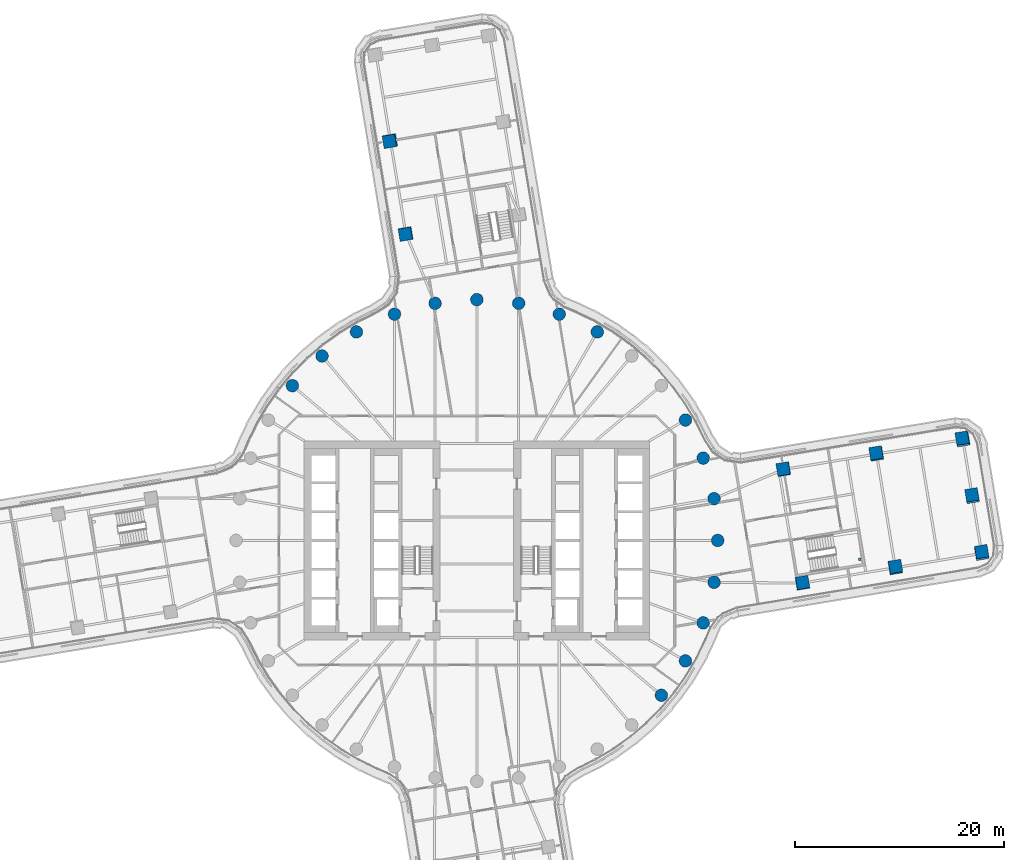
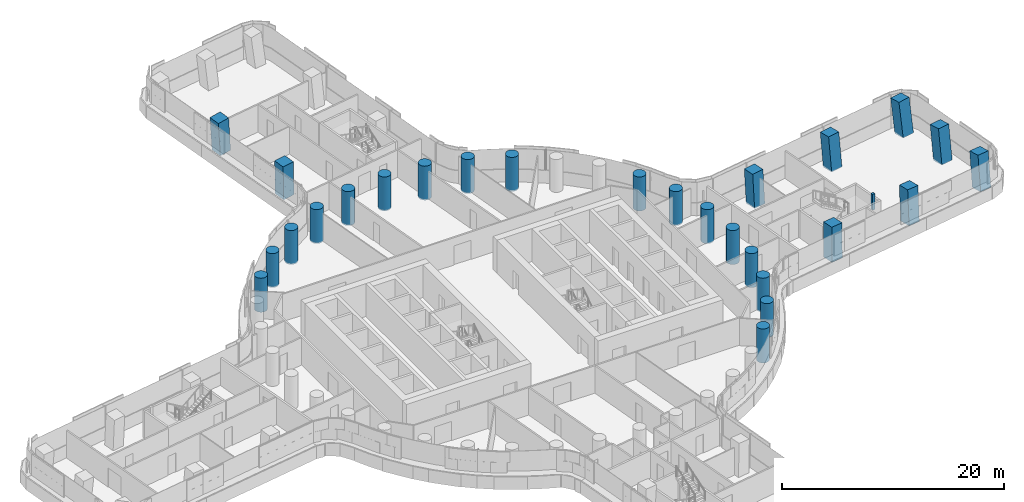
# One storey, part 2 of 32: 27 columns.
"""IFC4 building model written with IfcOpenShell, lengths in metres."""

from ifc_helpers import new_model, si_unit, direction, frame, origin, origin_2d, place, context, subcontext, project, spatial, rectangle, circle, extrude, material, material_profile, profile_set, type_object, element, save


model = new_model("IFC4")

# Units and contexts
model_context = context("Model", 3, precision=1e-05, world=origin(), true_north=direction((0.0, 1.0)))
body_context = subcontext(model_context, "Body", "Model", "MODEL_VIEW")
ifc_project = project(units=[si_unit("LENGTHUNIT", "METRE"), si_unit("AREAUNIT", "SQUARE_METRE"), si_unit("VOLUMEUNIT", "CUBIC_METRE"), si_unit("PLANEANGLEUNIT", "RADIAN"), si_unit("MASSUNIT", "GRAM", prefix="KILO")], contexts=[model_context])

# Site, building, storey
site_placement = place(None, origin())
site = spatial("IfcSite", under=ifc_project, at=site_placement, CompositionType="ELEMENT")
building_placement = place(site_placement, origin())
building = spatial("IfcBuilding", under=site, at=building_placement, Name="Tamarind Cross Interchange Tower", CompositionType="ELEMENT")
storey_placement = place(building_placement, frame((0.0, 0.0, 67.75)))
storey = spatial("IfcBuildingStorey", under=building, at=storey_placement, Name="L15", CompositionType="ELEMENT", Elevation=67.75)

# Columns
ifc_material_1 = material(Name="Concrete C70", Category="concrete")
ifc_material_profile_1 = material_profile(ifc_material_1, rectangle(XDim=1.199951171875, YDim=1.199951171875, at=origin_2d()), Name="RC 1200x1200")
ifc_profile_set_1 = profile_set([ifc_material_profile_1], Name="Concrete C70")
column_type_1 = type_object("IfcColumnType", Name="Column RC 1200x1200 Concrete C70", PredefinedType="COLUMN", material=ifc_profile_set_1)
for number, where, z_axis, x_axis, name in (
    (1, (38.1689453125, 8.252685546875, -0.138427734375), (-0.040696619998, 0.077953174829, 0.996126040045), (0.161771011337, -0.983284447578, 0.083557375751), "Column L15-036"),
    (2, (39.966064453125, -2.599365234375, -0.138427734375), (0.011813089853, 0.087105310894, 0.996129065795), (-0.986445272806, -0.162038865487, 0.025867543959), "Column L15-037"),
):
    element("IfcColumn", number, at=place(storey_placement, frame(where, z_axis=z_axis, x_axis=x_axis)), inside=storey, type_object=column_type_1, Name=name, PredefinedType="COLUMN", context=body_context, shape_type="SweptSolid", body=[
        extrude(rectangle(XDim=1.199951171875, YDim=1.199951171875, at=origin_2d()), origin(), (0.0, 0.0, 1.0), 3.761474609375),
    ])
for number, where, z_axis, x_axis, name in (
    (3, (29.289794921875, 6.7822265625, -0.138671875), (-0.0332531625, 0.035075253596, 0.998831293948), (0.16299732754, -0.985813521068, 0.040044636278), "Column L15-038"),
    (4, (31.087158203125, -4.070068359375, -0.138671875), (0.01932716713, 0.044315827662, 0.998830600267), (-0.986189119231, -0.16351563828, 0.026337371691), "Column L15-039"),
):
    element("IfcColumn", number, at=place(storey_placement, frame(where, z_axis=z_axis, x_axis=x_axis)), inside=storey, type_object=column_type_1, Name=name, PredefinedType="COLUMN", context=body_context, shape_type="SweptSolid", body=[
        extrude(rectangle(XDim=1.199951171875, YDim=1.199951171875, at=origin_2d()), origin(), (0.0, 0.0, 1.0), 3.751708984375),
    ])
column_1_placement = place(storey_placement, frame((48.214111328125, -1.2333984375, -0.138671875), z_axis=(6.4635009e-05, 0.125585822985, 0.992082757076), x_axis=(-0.986565168569, -0.162066752246, 0.020579989887)))
element("IfcColumn", 5, at=column_1_placement, inside=storey, type_object=column_type_1, Name="Column L15-040", PredefinedType="COLUMN", context=body_context, shape_type="SweptSolid", body=[
    extrude(rectangle(XDim=1.199951171875, YDim=1.199951171875, at=origin_2d()), origin(), (0.0, 0.0, 1.0), 3.777099609375),
])
column_2_placement = place(storey_placement, frame((47.3154296875, 4.192626953125, -0.138671875), z_axis=(-0.026053607977, 0.1210878604, 0.992299823428), x_axis=(0.161569262409, -0.979075915707, 0.123716307438)))
element("IfcColumn", 6, at=column_2_placement, inside=storey, type_object=column_type_1, Name="Column L15-041", PredefinedType="COLUMN", context=body_context, shape_type="SweptSolid", body=[
    extrude(rectangle(XDim=1.199951171875, YDim=1.199951171875, at=origin_2d()), origin(), (0.0, 0.0, 1.0), 3.7763671875),
])
column_3_placement = place(storey_placement, frame((46.416748046875, 9.61865234375, -0.138427734375), z_axis=(-0.052153719159, 0.116457251456, 0.991825437343), x_axis=(0.159863217449, -0.97939533561, 0.123403923324)))
element("IfcColumn", 7, at=column_3_placement, inside=storey, type_object=column_type_1, Name="Column L15-042", PredefinedType="COLUMN", context=body_context, shape_type="SweptSolid", body=[
    extrude(rectangle(XDim=1.199951171875, YDim=1.199951171875, at=origin_2d()), origin(), (0.0, 0.0, 1.0), 3.777587890625),
])
column_4_placement = place(storey_placement, frame((-8.252685546875, 38.1689453125, -0.138427734375), z_axis=(-0.077953174829, -0.040696619998, 0.996126040045), x_axis=(0.983284447578, 0.161771011337, 0.083557375751)))
element("IfcColumn", 8, at=column_4_placement, inside=storey, type_object=column_type_1, Name="Column L15-043", PredefinedType="COLUMN", context=body_context, shape_type="SweptSolid", body=[
    extrude(rectangle(XDim=1.199951171875, YDim=1.199951171875, at=origin_2d()), origin(), (0.0, 0.0, 1.0), 3.761474609375),
])
column_5_placement = place(storey_placement, frame((-6.7822265625, 29.289794921875, -0.138671875), z_axis=(-0.035075253596, -0.0332531625, 0.998831293948), x_axis=(0.985813521068, 0.16299732754, 0.040044636278)))
element("IfcColumn", 9, at=column_5_placement, inside=storey, type_object=column_type_1, Name="Column L15-045", PredefinedType="COLUMN", context=body_context, shape_type="SweptSolid", body=[
    extrude(rectangle(XDim=1.199951171875, YDim=1.199951171875, at=origin_2d()), origin(), (0.0, 0.0, 1.0), 3.751708984375),
])
ifc_material_2 = material(Name="Concrete C40", Category="concrete")
ifc_material_profile_2 = material_profile(ifc_material_2, rectangle(XDim=0.25, YDim=0.25, at=origin_2d()), Name="RC 250x250")
ifc_profile_set_2 = profile_set([ifc_material_profile_2], Name="Concrete C40")
column_type_2 = type_object("IfcColumnType", Name="Column RC 250x250 Concrete C40", PredefinedType="COLUMN", material=ifc_profile_set_2)
column_6_placement = place(storey_placement, frame((36.565673828125, -1.788330078125, 1.875), z_axis=(0.0, 0.0, 1.0), x_axis=(1.0, 0.0, 0.0)))
element("IfcColumn", 10, at=column_6_placement, inside=storey, type_object=column_type_2, Name="Column ST3 landing L16", PredefinedType="COLUMN", context=body_context, shape_type="SweptSolid", body=[
    extrude(rectangle(XDim=0.25, YDim=0.25, at=origin_2d()), origin(), (0.0, 0.0, 1.0), 1.735107421875),
])
ifc_material_profile_3 = material_profile(ifc_material_1, circle(Radius=0.60009765625, at=origin_2d()), Name="RC D1200")
ifc_profile_set_3 = profile_set([ifc_material_profile_3], Name="Concrete C70")
column_type_3 = type_object("IfcColumnType", Name="Column RC D1200 Concrete C70", PredefinedType="COLUMN", material=ifc_profile_set_3)
for number, where, z_axis, x_axis, name in (
    (11, (23.0, 0.0, -0.139892578125), (0.0, 0.0, 1.0), (1.0, 0.0, 0.0), "Column L15-000"),
    (12, (22.650634765625, 3.993896484375, -0.139892578125), (0.0, 0.0, 1.0), (1.0, 0.0, 0.0), "Column L15-001"),
    (13, (21.613037109375, 7.866455078125, -0.139892578125), (0.0, 0.0, 1.0), (1.0, 0.0, 0.0), "Column L15-002"),
    (14, (19.918701171875, 11.5, -0.139892578125), (0.0, 0.0, 1.0), (1.0, 0.0, 0.0), "Column L15-003"),
    (15, (11.5, 19.918701171875, -0.139892578125), (0.0, 0.0, 1.0), (1.0, 0.0, 0.0), "Column L15-006"),
    (16, (7.866455078125, 21.613037109375, -0.139892578125), (0.0, 0.0, 1.0), (1.0, 0.0, 0.0), "Column L15-007"),
    (17, (3.993896484375, 22.650634765625, -0.139892578125), (0.0, 0.0, 1.0), (1.0, 0.0, 0.0), "Column L15-008"),
    (18, (0.0, 23.0, -0.139892578125), (0.0, 0.0, 1.0), (1.0, 0.0, 0.0), "Column L15-009"),
    (19, (-3.993896484375, 22.650634765625, -0.139892578125), (0.0, 0.0, 1.0), (1.0, 0.0, 0.0), "Column L15-010"),
    (20, (-7.866455078125, 21.613037109375, -0.139892578125), (0.0, 0.0, 1.0), (1.0, 0.0, 0.0), "Column L15-011"),
    (21, (-11.5, 19.918701171875, -0.139892578125), (0.0, 0.0, 1.0), (1.0, 0.0, 0.0), "Column L15-012"),
    (22, (-14.7841796875, 17.619140625, -0.139892578125), (0.0, 0.0, 1.0), (1.0, 0.0, 0.0), "Column L15-013"),
    (23, (-17.619140625, 14.7841796875, -0.139892578125), (0.0, 0.0, 1.0), (1.0, 0.0, 0.0), "Column L15-014"),
    (24, (17.619140625, -14.7841796875, -0.139892578125), (0.0, 0.0, 1.0), (1.0, 0.0, 0.0), "Column L15-032"),
    (25, (19.918701171875, -11.5, -0.139892578125), (0.0, 0.0, 1.0), (1.0, 0.0, 0.0), "Column L15-033"),
    (26, (21.613037109375, -7.866455078125, -0.139892578125), (0.0, 0.0, 1.0), (1.0, 0.0, 0.0), "Column L15-034"),
    (27, (22.650634765625, -3.993896484375, -0.139892578125), (0.0, 0.0, 1.0), (1.0, 0.0, 0.0), "Column L15-035"),
):
    element("IfcColumn", number, at=place(storey_placement, frame(where, z_axis=z_axis, x_axis=x_axis)), inside=storey, type_object=column_type_3, Name=name, PredefinedType="COLUMN", context=body_context, shape_type="SweptSolid", body=[
        extrude(circle(Radius=0.60009765625, at=origin_2d()), origin(), (0.0, 0.0, 1.0), 3.75),
    ])

save(model, "model.ifc")
